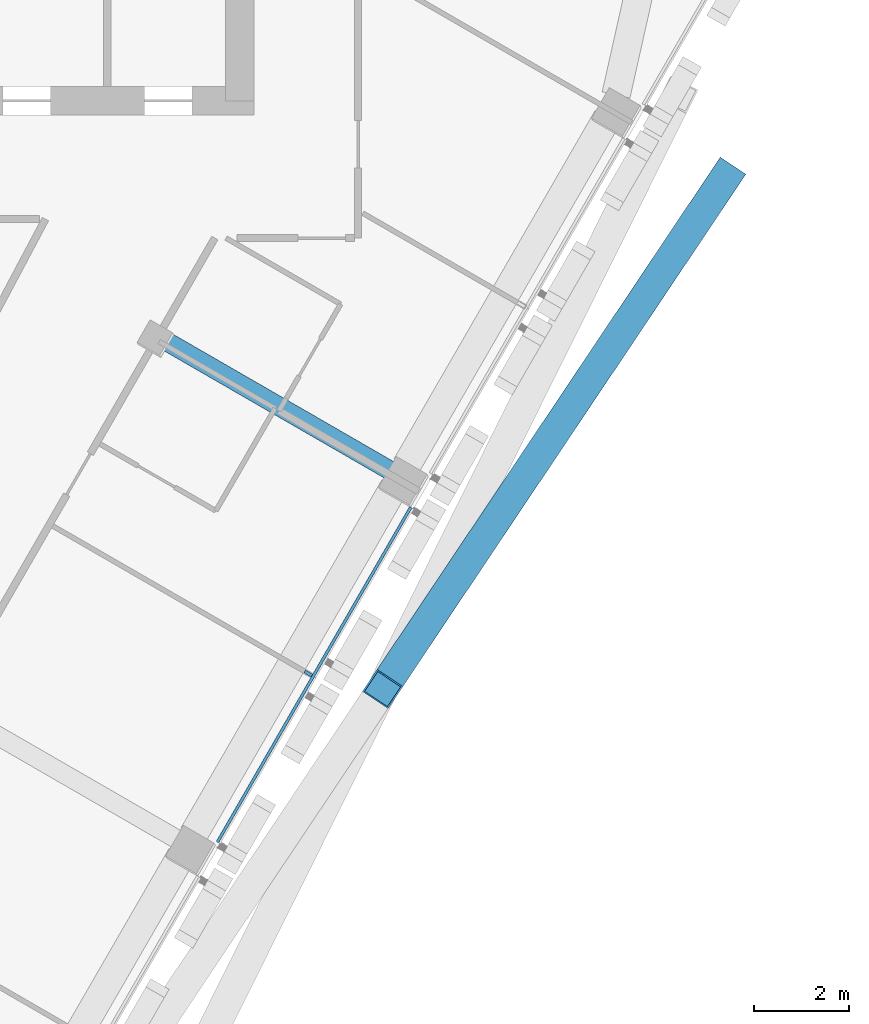
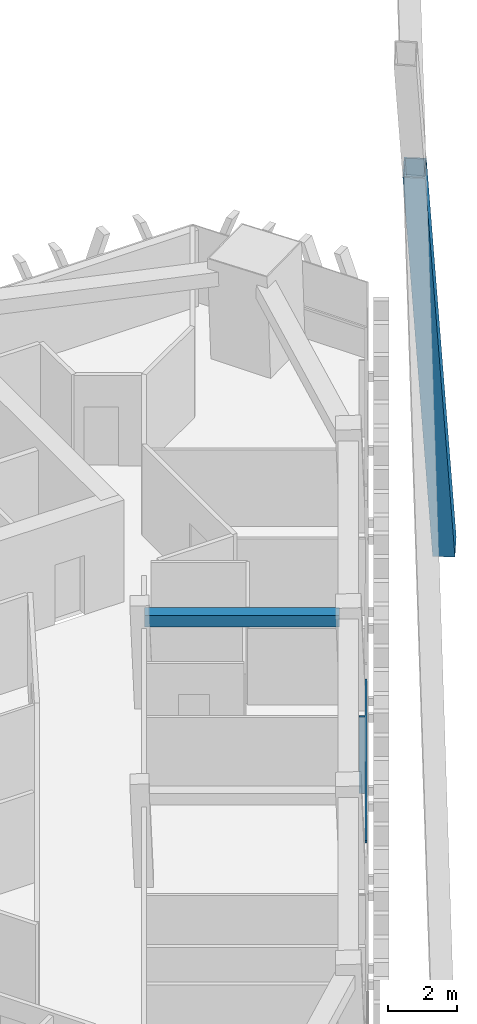
# One storey, part 9 of 22: 3 members, 1 beam, 1 element without a shape of its own.
"""IFC4 building model written with IfcOpenShell, lengths in metres."""

from ifc_helpers import new_model, si_unit, direction, frame, origin, origin_2d, place, context, subcontext, project, spatial, rectangle, hollow_rectangle, extrude, material, layer, layer_set, material_profile, profile_set, type_object, element, aggregate, save


model = new_model("IFC4")

# Units and contexts
model_context = context("Model", 3, precision=1e-05, world=origin(), true_north=direction((0.0, 1.0)))
body_context = subcontext(model_context, "Body", "Model", "MODEL_VIEW")
ifc_project = project(units=[si_unit("LENGTHUNIT", "METRE"), si_unit("AREAUNIT", "SQUARE_METRE"), si_unit("VOLUMEUNIT", "CUBIC_METRE"), si_unit("PLANEANGLEUNIT", "RADIAN"), si_unit("MASSUNIT", "GRAM", prefix="KILO")], contexts=[model_context])

# Site, building, storey
site_placement = place(None, origin())
site = spatial("IfcSite", under=ifc_project, at=site_placement, CompositionType="ELEMENT")
building_placement = place(site_placement, origin())
building = spatial("IfcBuilding", under=site, at=building_placement, Name="Altiplano Prism Tower", CompositionType="ELEMENT")
storey_placement = place(building_placement, frame((0.0, 0.0, 219.39990234375)))
storey = spatial("IfcBuildingStorey", under=building, at=storey_placement, Name="L56", CompositionType="ELEMENT", Elevation=219.39990234375)

# Curtain wall, members
ifc_material_1 = material(Name="Aluminium and glass", Category="aluminium")
ifc_layer = layer(ifc_material_1, 0.280029296875)
ifc_layer_set = layer_set([ifc_layer], Name="Aluminium and glass")
curtain_wall_type = type_object("IfcCurtainWallType", Name="CW1 typical co-living unitised curtain wall", PredefinedType="NOTDEFINED", material=ifc_layer_set)
curtain_wall_placement = place(storey_placement, origin())
curtain_wall = element("IfcCurtainWall", 1, at=curtain_wall_placement, inside=storey, type_object=curtain_wall_type, Name="CW1 curtain wall south-east face L56", PredefinedType="NOTDEFINED")
ifc_material_2 = material(Name="Aluminium", Category="aluminium")
ifc_material_profile_1 = material_profile(ifc_material_2, rectangle(XDim=0.179931640625, YDim=0.06494140625, at=origin_2d()), Name="CW1 mullion 65 x 180")
ifc_profile_set_1 = profile_set([ifc_material_profile_1], Name="Aluminium")
member_type_1 = type_object("IfcMemberType", Name="CW1 mullion 65 x 180", PredefinedType="MULLION", material=ifc_profile_set_1)
member_1_placement = place(storey_placement, frame((98.7470703125, 80.99951171875, 0.0), z_axis=(0.0, 0.0, 1.0), x_axis=(-0.866025415356, 0.499999979958, 0.0)))
member_1 = element("IfcMember", 2, at=member_1_placement, type_object=member_type_1, Name="CW1 mullion", PredefinedType="MULLION", context=body_context, shape_type="SweptSolid", body=[
    extrude(rectangle(XDim=0.179931640625, YDim=0.06494140625, at=origin_2d()), origin(), (0.0, 0.0, 1.0), 2.7001953125),
])
ifc_material_profile_2 = material_profile(ifc_material_2, rectangle(XDim=0.06005859375, YDim=0.080078125, at=origin_2d()), Name="CW1 transom 80 x 60")
ifc_profile_set_2 = profile_set([ifc_material_profile_2], Name="Aluminium")
member_type_2 = type_object("IfcMemberType", Name="CW1 transom 80 x 60", PredefinedType="USERDEFINED", material=ifc_profile_set_2)
member_2_placement = place(storey_placement, frame((96.828125, 77.43603515625, 1.10009765625), z_axis=(0.500008722908, 0.866020367552, 0.0), x_axis=(-0.866020367552, 0.500008722908, 0.0)))
member_2 = element("IfcMember", 3, at=member_2_placement, type_object=member_type_2, Name="CW1 transom", ObjectType="TRANSOM", PredefinedType="USERDEFINED", context=body_context, shape_type="SweptSolid", body=[
    extrude(rectangle(XDim=0.06005859375, YDim=0.080078125, at=origin_2d()), origin(), (0.0, 0.0, 1.0), 8.169677734375),
])
aggregate(curtain_wall, [member_1, member_2])

# Member
ifc_material_3 = material(Name="Steel S355", Category="steel")
ifc_material_profile_3 = material_profile(ifc_material_3, hollow_rectangle(XDim=0.64990234375, YDim=0.64990234375, WallThickness=0.034912109375, at=origin_2d()), Name="Mega brace Box 650x650x35")
ifc_profile_set_3 = profile_set([ifc_material_profile_3], Name="Steel S355")
member_type_3 = type_object("IfcMemberType", Name="Mega brace Box 650x650x35", PredefinedType="BRACE", material=ifc_profile_set_3)
member_3_placement = place(storey_placement, frame((107.56689453125, 91.495849609375, -0.75), z_axis=(-0.278845609489, -0.416362243074, 0.865382925999), x_axis=(0.83087801477, -0.556454602436, 0.0)))
element("IfcMember", 4, at=member_3_placement, inside=storey, type_object=member_type_3, Name="Mega brace 6.2.3", PredefinedType="BRACE", context=body_context, shape_type="SweptSolid", body=[
    extrude(hollow_rectangle(XDim=0.64990234375, YDim=0.64990234375, WallThickness=0.034912109375, at=origin_2d()), origin(), (0.0, 0.0, 1.0), 26.0),
])

# Beam
ifc_material_4 = material(Name="Concrete C60/75", Category="concrete")
ifc_material_profile_4 = material_profile(ifc_material_4, rectangle(XDim=0.39990234375, YDim=0.39990234375, at=origin_2d()), Name="Tie beam 400x400")
ifc_profile_set_4 = profile_set([ifc_material_profile_4], Name="Concrete C60/75")
beam_type = type_object("IfcBeamType", Name="Tie beam 400x400", PredefinedType="BEAM", material=ifc_profile_set_4)
beam_placement = place(storey_placement, frame((95.586669921875, 88.11279296875, 3.0), z_axis=(0.866015459562, -0.500017223503, 0.0), x_axis=(0.500017223503, 0.866015459562, 0.0)))
element("IfcBeam", 5, at=beam_placement, inside=storey, type_object=beam_type, Name="Tie beam I23 L57", PredefinedType="BEAM", context=body_context, shape_type="SweptSolid", body=[
    extrude(rectangle(XDim=0.39990234375, YDim=0.39990234375, at=origin_2d()), origin(), (0.0, 0.0, 1.0), 5.639892578125),
])

save(model, "model.ifc")
